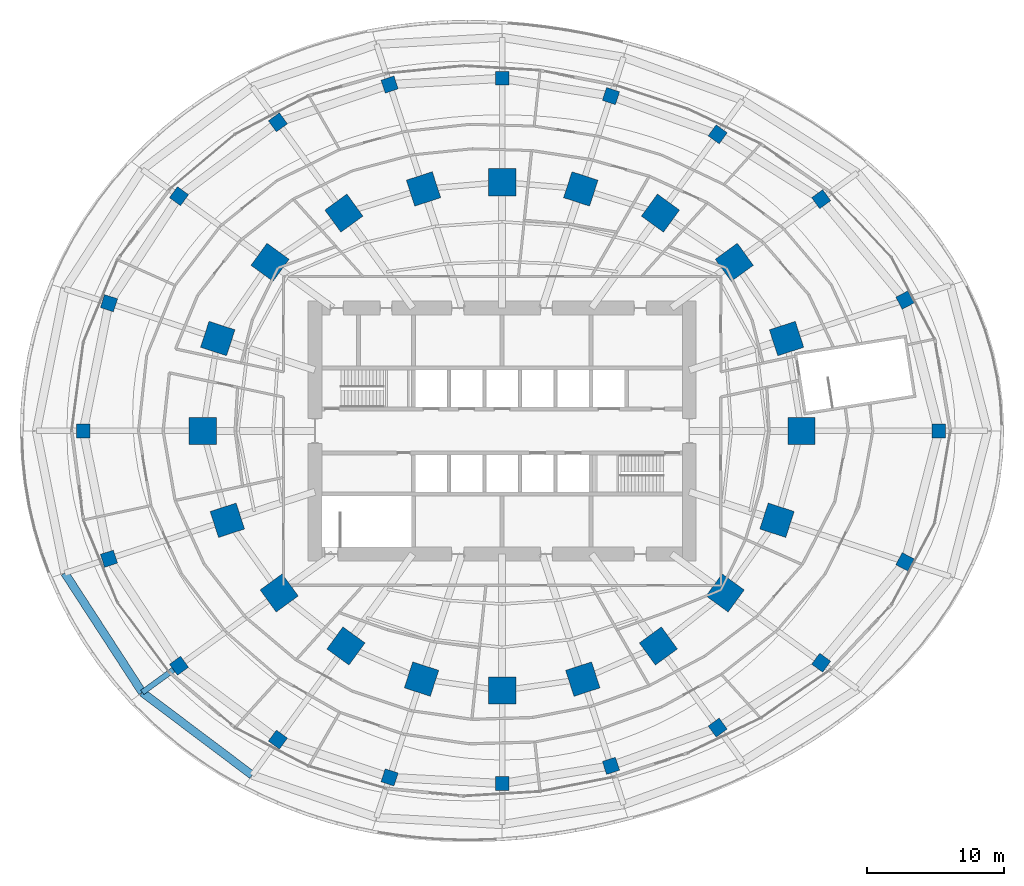
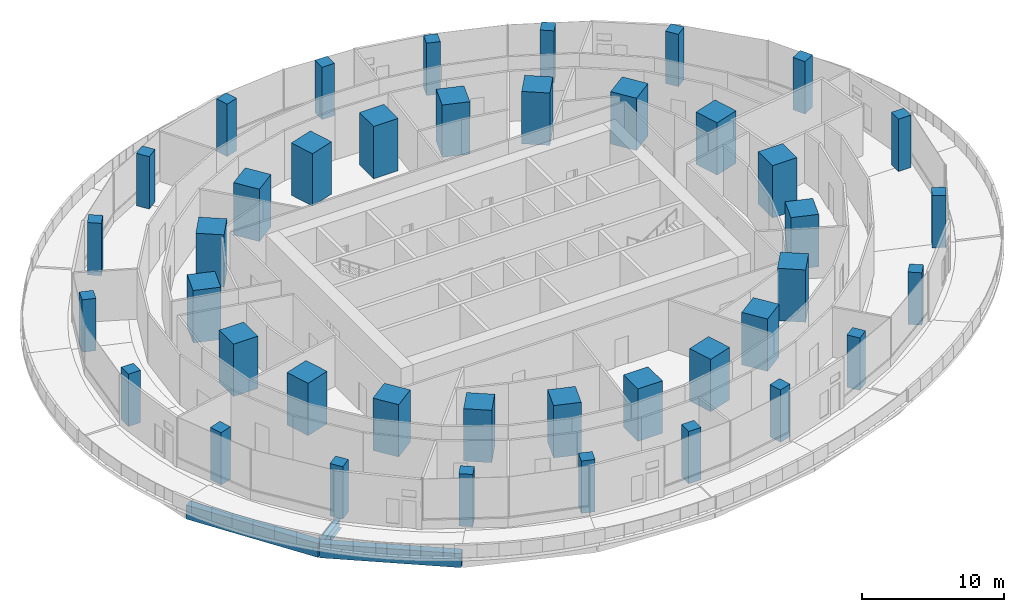
# One storey, part 1 of 26: 40 columns, 3 beams.
"""IFC4 building model written with IfcOpenShell, lengths in metres."""

import ifcopenshell
import ifcopenshell.guid

model = None  # the IFC model being written
_history = None  # IfcOwnerHistory: only IFC2X3 demands one
_inside = {}  # id of a spatial element -> (the spatial element, [elements in it])
_under = {}  # id of a project, library or spatial element -> (it, [spatial elements below it])
_declared = {}  # id of a project -> (the project, [libraries it declares])
_typed = {}  # id of a type object -> (the type object, [elements of that type])
_made_of = {}  # id of a material, layer set ... -> (it, [elements and type objects made of it])


def new_model(schema):
    """Start an empty IFC model of exactly this schema.

    Asked for "IFC4X3", IfcOpenShell would pick the latest addendum, in which some entities
    have other attributes; the version numbers below select the first issue.
    IFC2X3 requires an IfcOwnerHistory on every rooted entity: one is made here for all.
    """
    global model, _history
    if schema == "IFC4X3":
        model = ifcopenshell.file(schema_version=(4, 3, 0, 0))
    else:
        model = ifcopenshell.file(schema=schema)
    _inside.clear()
    _under.clear()
    _declared.clear()
    _typed.clear()
    _made_of.clear()
    _history = None
    if model.schema == "IFC2X3":
        org = make("IfcOrganization", Name="unknown")
        user = make(
            "IfcPersonAndOrganization",
            ThePerson=make("IfcPerson", FamilyName="unknown"),
            TheOrganization=org,
        )
        app = make(
            "IfcApplication",
            ApplicationDeveloper=org,
            Version="unknown",
            ApplicationFullName="unknown",
            ApplicationIdentifier="unknown",
        )
        _history = make(
            "IfcOwnerHistory",
            OwningUser=user,
            OwningApplication=app,
            ChangeAction="ADDED",
            CreationDate=0,
        )
    return model


def make(cls, **values):
    """One entity of the class cls with the attributes given. An attribute that is None is left unset."""
    return model.create_entity(
        cls, **{name: value for name, value in values.items() if value is not None}
    )


def rooted(cls, **values):
    """An entity with a GlobalId (a new one), such as an element, a storey or a relation."""
    return make(cls, GlobalId=ifcopenshell.guid.new(), OwnerHistory=_history, **values)


def si_unit(unit_type, name, prefix=None):
    """IfcSIUnit, for example si_unit("LENGTHUNIT", "METRE", prefix="MILLI")."""
    return make("IfcSIUnit", UnitType=unit_type, Prefix=prefix, Name=name)


def assignment(units):
    """IfcUnitAssignment: the units of a project."""
    return None if units is None else make("IfcUnitAssignment", Units=units)


def point(xyz):
    """IfcCartesianPoint."""
    return None if xyz is None else make("IfcCartesianPoint", Coordinates=xyz)


def direction(xyz):
    """IfcDirection."""
    return None if xyz is None else make("IfcDirection", DirectionRatios=xyz)


def frame(location, z_axis=None, x_axis=None):
    """IfcAxis2Placement3D, a coordinate frame: its origin and axes. An axis left out is left unset."""
    return make(
        "IfcAxis2Placement3D",
        Location=point(location),
        Axis=direction(z_axis),
        RefDirection=direction(x_axis),
    )


def frame_2d(location, x_axis=None):
    """IfcAxis2Placement2D, a coordinate frame in the plane: its origin and x axis."""
    return make(
        "IfcAxis2Placement2D", Location=point(location), RefDirection=direction(x_axis)
    )


def origin():
    """The frame at (0, 0, 0) with its axes left unset."""
    return frame((0.0, 0.0, 0.0))


def origin_2d():
    """The frame at (0, 0) in the plane with its x axis left unset."""
    return frame_2d((0.0, 0.0))


def place(relative_to, where):
    """IfcLocalPlacement: puts the frame where relative to a parent placement (None: the world)."""
    return make(
        "IfcLocalPlacement", PlacementRelTo=relative_to, RelativePlacement=where
    )


def context(
    kind, dimensions, precision=None, world=None, true_north=None, identifier=None
):
    """IfcGeometricRepresentationContext, for example the 3D "Model" context."""
    return make(
        "IfcGeometricRepresentationContext",
        ContextIdentifier=identifier,
        ContextType=kind,
        CoordinateSpaceDimension=dimensions,
        Precision=precision,
        WorldCoordinateSystem=world,
        TrueNorth=true_north,
    )


def subcontext(parent, identifier, kind, view, scale=None):
    """IfcGeometricRepresentationSubContext, for example "Body" below "Model"."""
    return make(
        "IfcGeometricRepresentationSubContext",
        ContextIdentifier=identifier,
        ContextType=kind,
        ParentContext=parent,
        TargetScale=scale,
        TargetView=view,
    )


def project(units=None, contexts=None):
    """IfcProject with its units and contexts."""
    return rooted(
        "IfcProject",
        Name="project",
        RepresentationContexts=contexts,
        UnitsInContext=assignment(units),
    )


def spatial(cls, under=None, at=None, **own):
    """A site, building, storey or space (cls), placed at a placement, below another one or the project."""
    s = rooted(cls, ObjectPlacement=at, **own)
    if under is not None:
        _under.setdefault(under.id(), (under, []))[1].append(s)
    return s


def profile(cls, at=None, kind="AREA", **sizes):
    """A parametric profile (cls). Its sizes go by their IFC names, for example OverallWidth=200.0."""
    return make(cls, ProfileType=kind, Position=at, **sizes)


def rectangle(**sizes):
    """IfcRectangleProfileDef."""
    return profile("IfcRectangleProfileDef", **sizes)


def i_section(**sizes):
    """IfcIShapeProfileDef."""
    return profile("IfcIShapeProfileDef", **sizes)


def extrude(swept, where, along, depth):
    """IfcExtrudedAreaSolid: the profile swept, set in the frame where, extruded along a direction by depth."""
    return make(
        "IfcExtrudedAreaSolid",
        SweptArea=swept,
        Position=where,
        ExtrudedDirection=direction(along),
        Depth=depth,
    )


def shape(context_of_items, identifier, shape_type, items):
    """IfcShapeRepresentation: the items that make up one representation, for example the "Body"."""
    return make(
        "IfcShapeRepresentation",
        ContextOfItems=context_of_items,
        RepresentationIdentifier=identifier,
        RepresentationType=shape_type,
        Items=items,
    )


def material(Name=None, Category=None):
    """IfcMaterial."""
    return make("IfcMaterial", Name=Name, Category=Category)


def material_profile(
    of_material, cross_section, Name=None, Category=None, Priority=None
):
    """IfcMaterialProfile: a cross section and its material."""
    return make(
        "IfcMaterialProfile",
        Name=Name,
        Material=of_material,
        Profile=cross_section,
        Priority=Priority,
        Category=Category,
    )


def profile_set(profiles, Name=None, composite=None):
    """IfcMaterialProfileSet."""
    return make(
        "IfcMaterialProfileSet",
        Name=Name,
        MaterialProfiles=profiles,
        CompositeProfile=composite,
    )


def made_of(thing, what):
    """Note that an element or type object is made of a material, layer set ...; save() writes the relation."""
    if what is not None:
        _made_of.setdefault(what.id(), (what, []))[1].append(thing)
    return thing


def type_object(cls, material=None, **own):
    """A type object (cls), such as IfcWallType, which elements share."""
    return made_of(rooted(cls, **own), material)


def element(
    cls,
    number,
    at=None,
    inside=None,
    cuts=None,
    type_object=None,
    material=None,
    context=None,
    identifier="Body",
    shape_type=None,
    held_by="IfcProductDefinitionShape",
    body=None,
    shapes=None,
    **own,
):
    """One element of the class cls, such as IfcWall. Its Tag is "e" and its number.

    at: its placement. inside: the storey or other place that contains it. cuts: it is an
    opening in that element (IfcRelVoidsElement). A single representation is given by context,
    identifier, shape_type and body (its items); several are given by shapes. held_by: the class
    of the entity that holds the representations. save() writes the other relations.
    """
    e = rooted(cls, Tag="e%d" % number, ObjectPlacement=at, **own)
    if body is not None:
        shapes = [shape(context, identifier, shape_type, body)]
    if shapes is not None:
        e.Representation = make(held_by, Representations=shapes)
    if inside is not None:
        _inside.setdefault(inside.id(), (inside, []))[1].append(e)
    if cuts is not None:
        rooted(
            "IfcRelVoidsElement", RelatingBuildingElement=cuts, RelatedOpeningElement=e
        )
    if type_object is not None:
        _typed.setdefault(type_object.id(), (type_object, []))[1].append(e)
    return made_of(e, material)


def aggregate(whole, parts):
    """IfcRelAggregates: a whole, such as a stair, and the parts it consists of."""
    return rooted("IfcRelAggregates", RelatingObject=whole, RelatedObjects=parts)


def save(model, path):
    """Write the relations noted so far, then the file.

    IfcRelAggregates (storeys below a building ...), IfcRelContainedInSpatialStructure (elements
    in a storey), IfcRelDefinesByType, IfcRelAssociatesMaterial and IfcRelDeclares: one each for
    every whole, place, type object, material and project.
    """
    for whole, parts in _under.values():
        aggregate(whole, parts)
    for where, things in _inside.values():
        rooted(
            "IfcRelContainedInSpatialStructure",
            RelatedElements=things,
            RelatingStructure=where,
        )
    for kind, things in _typed.values():
        rooted("IfcRelDefinesByType", RelatedObjects=things, RelatingType=kind)
    for what, things in _made_of.values():
        rooted("IfcRelAssociatesMaterial", RelatedObjects=things, RelatingMaterial=what)
    for by, libraries in _declared.values():
        rooted("IfcRelDeclares", RelatingContext=by, RelatedDefinitions=libraries)
    model.write(path)


model = new_model("IFC4")

# Units and contexts
model_context = context("Model", 3, precision=1e-05, world=origin(), true_north=direction((0.0, 1.0)))
body_context = subcontext(model_context, "Body", "Model", "MODEL_VIEW")
ifc_project = project(units=[si_unit("LENGTHUNIT", "METRE"), si_unit("AREAUNIT", "SQUARE_METRE"), si_unit("VOLUMEUNIT", "CUBIC_METRE"), si_unit("PLANEANGLEUNIT", "RADIAN"), si_unit("MASSUNIT", "GRAM", prefix="KILO")], contexts=[model_context])

# Site, building, storey
site_placement = place(None, origin())
site = spatial("IfcSite", under=ifc_project, at=site_placement, CompositionType="ELEMENT")
building_placement = place(site_placement, origin())
building = spatial("IfcBuilding", under=site, at=building_placement, Name="Marramba Exchange Tower", CompositionType="ELEMENT")
storey_placement = place(building_placement, frame((0.0, 0.0, 15.10009765625)))
storey = spatial("IfcBuildingStorey", under=building, at=storey_placement, Name="L03", CompositionType="ELEMENT", Elevation=15.10009765625)

# Columns
ifc_material_1 = material(Name="Concrete N50", Category="concrete")
ifc_material_profile_1 = material_profile(ifc_material_1, rectangle(XDim=2.0, YDim=2.0, at=origin_2d()), Name="RC 2000x2000")
ifc_profile_set_1 = profile_set([ifc_material_profile_1], Name="Concrete N50")
column_type_1 = type_object("IfcColumnType", Name="Perimeter column RC 2000x2000 N50", PredefinedType="COLUMN", material=ifc_profile_set_1)
for number, where, z_axis, x_axis, name in (
    (1, (21.89990234375, 0.0, 0.0), (0.0, 0.0, 1.0), (1.0, 0.0, 0.0), "Column TC01 L03"),
    (2, (20.808349609375, 6.760986328125, 0.0), (0.0, 0.0, 1.0), (0.951056516295, 0.309016994375, 0.0), "Column TC02 L03"),
    (3, (16.98583984375, 12.3408203125, 0.0), (0.0, 0.0, 1.0), (0.809016994375, 0.587785252292, 0.0), "Column TC03 L03"),
    (4, (11.581298828125, 15.9404296875, 0.0), (0.0, 0.0, 1.0), (0.587785252292, 0.809016994375, 0.0), "Column TC04 L03"),
    (5, (5.75390625, 17.70849609375, 0.0), (0.0, 0.0, 1.0), (0.309016994375, 0.951056516295, 0.0), "Column TC05 L03"),
    (6, (0.0, 18.2041015625, 0.0), (0.0, 0.0, 1.0), (0.0, 1.0, 0.0), "Column TC06 L03"),
    (7, (-5.75390625, 17.70849609375, 0.0), (0.0, 0.0, 1.0), (-0.309016994375, 0.951056516295, 0.0), "Column TC07 L03"),
    (8, (-11.581298828125, 15.9404296875, 0.0), (0.0, 0.0, 1.0), (-0.587785252292, 0.809016994375, 0.0), "Column TC08 L03"),
    (9, (-16.98583984375, 12.3408203125, 0.0), (0.0, 0.0, 1.0), (-0.809016994375, 0.587785252292, 0.0), "Column TC09 L03"),
    (10, (-20.808349609375, 6.760986328125, 0.0), (0.0, 0.0, 1.0), (-0.951056516295, 0.309016994375, 0.0), "Column TC10 L03"),
    (11, (-21.89990234375, 0.0, 0.0), (0.0, 0.0, 1.0), (-1.0, 0.0, 0.0), "Column TC11 L03"),
    (12, (-20.109375, -6.533935546875, 0.0), (0.0, 0.0, 1.0), (-0.951056516295, -0.309016994375, 0.0), "Column TC12 L03"),
    (13, (-16.3154296875, -11.853759765625, 0.0), (0.0, 0.0, 1.0), (-0.809016994375, -0.587785252292, 0.0), "Column TC13 L03"),
    (14, (-11.430419921875, -15.732666015625, 0.0), (0.0, 0.0, 1.0), (-0.587785252292, -0.809016994375, 0.0), "Column TC14 L03"),
    (15, (-5.899658203125, -18.156982421875, 0.0), (0.0, 0.0, 1.0), (-0.309016994375, -0.951056516295, 0.0), "Column TC15 L03"),
    (16, (0.0, -18.99609375, 0.0), (0.0, 0.0, 1.0), (0.0, -1.0, 0.0), "Column TC16 L03"),
    (17, (5.899658203125, -18.156982421875, 0.0), (0.0, 0.0, 1.0), (0.309016994375, -0.951056516295, 0.0), "Column TC17 L03"),
    (18, (11.430419921875, -15.732666015625, 0.0), (0.0, 0.0, 1.0), (0.587785252292, -0.809016994375, 0.0), "Column TC18 L03"),
    (19, (16.3154296875, -11.853759765625, 0.0), (0.0, 0.0, 1.0), (0.809016994375, -0.587785252292, 0.0), "Column TC19 L03"),
    (20, (20.109375, -6.533935546875, 0.0), (0.0, 0.0, 1.0), (0.951056516295, -0.309016994375, 0.0), "Column TC20 L03"),
):
    element("IfcColumn", number, at=place(storey_placement, frame(where, z_axis=z_axis, x_axis=x_axis)), inside=storey, type_object=column_type_1, Name=name, PredefinedType="COLUMN", context=body_context, shape_type="SweptSolid", body=[
        extrude(rectangle(XDim=2.0, YDim=2.0, at=origin_2d()), origin(), (0.0, 0.0, 1.0), 4.5),
    ])
ifc_material_profile_2 = material_profile(ifc_material_1, rectangle(XDim=1.0, YDim=1.0, at=origin_2d()), Name="RC 1000x1000")
ifc_profile_set_2 = profile_set([ifc_material_profile_2], Name="Concrete N50")
column_type_2 = type_object("IfcColumnType", Name="Podium column RC 1000x1000 N50", PredefinedType="COLUMN", material=ifc_profile_set_2)
for number, where, z_axis, x_axis, name in (
    (21, (31.949951171875, 0.0, 0.0), (0.0, 0.0, 1.0), (1.0, 0.0, 0.0), "Column P3C01 L03"),
    (22, (29.48193359375, 9.579345703125, 0.0), (0.0, 0.0, 1.0), (0.884188111274, 0.467131013616, 0.0), "Column P3C02 L03"),
    (23, (23.34228515625, 16.959228515625, 0.0), (0.0, 0.0, 1.0), (0.809016994375, 0.587785252292, 0.0), "Column P3C03 L03"),
    (24, (15.769775390625, 21.705078125, 0.0), (0.0, 0.0, 1.0), (0.587785252292, 0.809016994375, 0.0), "Column P3C04 L03"),
    (25, (7.9619140625, 24.50390625, 0.0), (0.0, 0.0, 1.0), (0.309016994375, 0.951056516295, 0.0), "Column P3C05 L03"),
    (26, (0.0, 25.800048828125, 0.0), (0.0, 0.0, 1.0), (0.0, 1.0, 0.0), "Column P3C06 L03"),
    (27, (-8.23583984375, 25.347412109375, 0.0), (0.0, 0.0, 1.0), (-0.309016994375, 0.951056516295, 0.0), "Column P3C07 L03"),
    (28, (-16.40869140625, 22.58447265625, 0.0), (0.0, 0.0, 1.0), (-0.587785252292, 0.809016994375, 0.0), "Column P3C08 L03"),
    (29, (-23.644775390625, 17.178955078125, 0.0), (0.0, 0.0, 1.0), (-0.809016994375, 0.587785252292, 0.0), "Column P3C09 L03"),
    (30, (-28.770263671875, 9.34814453125, 0.0), (0.0, 0.0, 1.0), (-0.951056516295, 0.309016994375, 0.0), "Column P3C10 L03"),
    (31, (-30.64990234375, 0.0, 0.0), (0.0, 0.0, 1.0), (-1.0, 0.0, 0.0), "Column P3C11 L03"),
    (32, (-28.770263671875, -9.34814453125, 0.0), (0.0, 0.0, 1.0), (-0.951056516295, -0.309016994375, 0.0), "Column P3C12 L03"),
    (33, (-23.644775390625, -17.178955078125, 0.0), (0.0, 0.0, 1.0), (-0.809016994375, -0.587785252292, 0.0), "Column P3C13 L03"),
    (34, (-16.40869140625, -22.58447265625, 0.0), (0.0, 0.0, 1.0), (-0.587785252292, -0.809016994375, 0.0), "Column P3C14 L03"),
    (35, (-8.23583984375, -25.347412109375, 0.0), (0.0, 0.0, 1.0), (-0.309016994375, -0.951056516295, 0.0), "Column P3C15 L03"),
    (36, (0.0, -25.800048828125, 0.0), (0.0, 0.0, 1.0), (0.0, -1.0, 0.0), "Column P3C16 L03"),
    (37, (7.9619140625, -24.50390625, 0.0), (0.0, 0.0, 1.0), (0.309016994375, -0.951056516295, 0.0), "Column P3C17 L03"),
    (38, (15.769775390625, -21.705078125, 0.0), (0.0, 0.0, 1.0), (0.587785252292, -0.809016994375, 0.0), "Column P3C18 L03"),
    (39, (23.34228515625, -16.959228515625, 0.0), (0.0, 0.0, 1.0), (0.809016994375, -0.587785252292, 0.0), "Column P3C19 L03"),
    (40, (29.48193359375, -9.579345703125, 0.0), (0.0, 0.0, 1.0), (0.884188111274, -0.467131013616, 0.0), "Column P3C20 L03"),
):
    element("IfcColumn", number, at=place(storey_placement, frame(where, z_axis=z_axis, x_axis=x_axis)), inside=storey, type_object=column_type_2, Name=name, PredefinedType="COLUMN", context=body_context, shape_type="SweptSolid", body=[
        extrude(rectangle(XDim=1.0, YDim=1.0, at=origin_2d()), origin(), (0.0, 0.0, 1.0), 4.5),
    ])

# Beams
ifc_material_profile_3 = material_profile(ifc_material_1, rectangle(XDim=0.60009765625, YDim=1.199951171875, at=origin_2d()), Name="RC 600x1200")
ifc_profile_set_3 = profile_set([ifc_material_profile_3], Name="Concrete N50")
beam_type_1 = type_object("IfcBeamType", Name="Edge beam RC 600x1200 N50", PredefinedType="SPANDREL", material=ifc_profile_set_3)
beam_1_placement = place(storey_placement, frame((-32.005126953125, -10.399169921875, -0.85009765625), z_axis=(0.544797972412, -0.838567331379, 0.0), x_axis=(0.838567331379, 0.544797972412, 0.0)))
element("IfcBeam", 41, at=beam_1_placement, inside=storey, type_object=beam_type_1, Name="Edge beam L03 P2C12", PredefinedType="SPANDREL", context=body_context, shape_type="SweptSolid", body=[
    extrude(rectangle(XDim=0.60009765625, YDim=1.199951171875, at=origin_2d()), origin(), (0.0, 0.0, 1.0), 10.413330078125),
])
beam_2_placement = place(storey_placement, frame((-26.33203125, -19.13134765625, -0.85009765625), z_axis=(0.799014535073, -0.601311710132, 0.0), x_axis=(0.601311710132, 0.799014535073, 0.0)))
element("IfcBeam", 42, at=beam_2_placement, inside=storey, type_object=beam_type_1, Name="Edge beam L03 P2C13", PredefinedType="SPANDREL", context=body_context, shape_type="SweptSolid", body=[
    extrude(rectangle(XDim=0.60009765625, YDim=1.199951171875, at=origin_2d()), origin(), (0.0, 0.0, 1.0), 10.059326171875),
])
ifc_material_2 = material(Name="Steel AS/NZS 3679.2 grade 300", Category="steel")
ifc_material_profile_4 = material_profile(ifc_material_2, i_section(OverallWidth=0.39990234375, OverallDepth=0.89990234375, WebThickness=0.01611328125, FlangeThickness=0.031982421875, at=origin_2d()), Name="900WB282")
ifc_profile_set_4 = profile_set([ifc_material_profile_4], Name="Steel AS/NZS 3679.2 grade 300")
beam_type_2 = type_object("IfcBeamType", Name="Radial girder 900WB282", PredefinedType="BEAM", material=ifc_profile_set_4)
beam_3_placement = place(storey_placement, frame((-26.33203125, -19.13134765625, -0.7001953125), z_axis=(0.809018867973, 0.587782673497, 0.0), x_axis=(-0.587782673497, 0.809018867973, 0.0)))
element("IfcBeam", 43, at=beam_3_placement, inside=storey, type_object=beam_type_2, Name="Radial girder L03 P2C13", PredefinedType="BEAM", context=body_context, shape_type="SweptSolid", body=[
    extrude(i_section(OverallWidth=0.39990234375, OverallDepth=0.89990234375, WebThickness=0.01611328125, FlangeThickness=0.031982421875, at=origin_2d()), origin(), (0.0, 0.0, 1.0), 3.321533203125),
])

save(model, "model.ifc")
